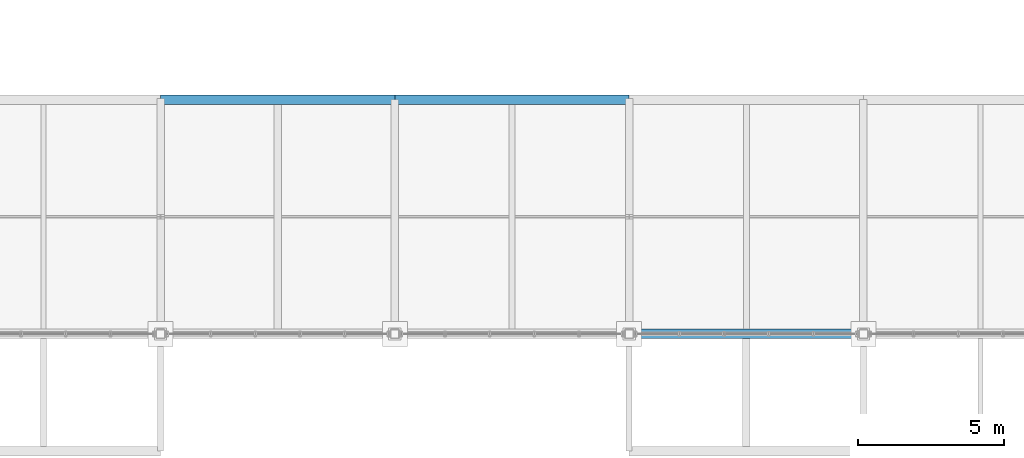
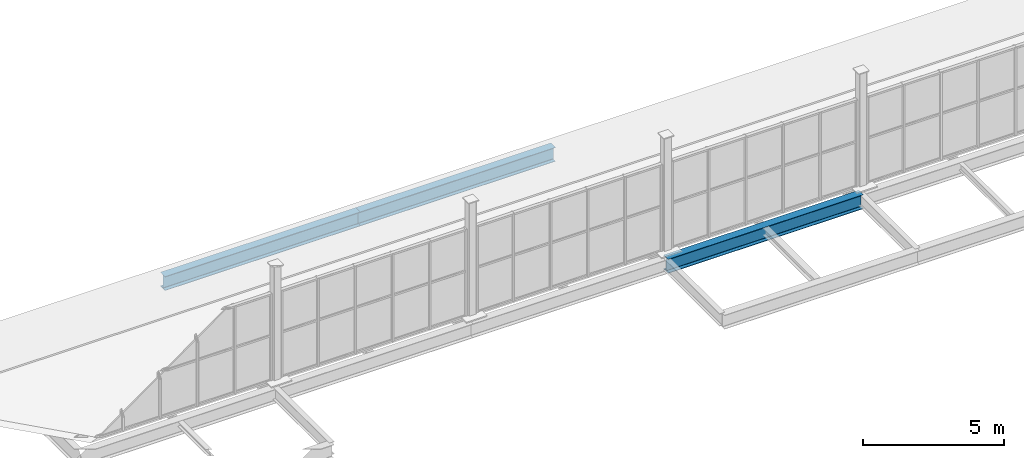
# One storey, part 49 of 96: 3 beams.
"""IFC4 building model written with IfcOpenShell, lengths in metres."""

from ifc_helpers import new_model, si_unit, direction, frame, origin, origin_2d, place, context, subcontext, project, spatial, i_section, extrude, material, material_profile, profile_set, type_object, element, save


model = new_model("IFC4")

# Units and contexts
model_context = context("Model", 3, precision=1e-05, world=origin(), true_north=direction((0.0, 1.0)))
body_context = subcontext(model_context, "Body", "Model", "MODEL_VIEW")
ifc_project = project(units=[si_unit("LENGTHUNIT", "METRE"), si_unit("AREAUNIT", "SQUARE_METRE"), si_unit("VOLUMEUNIT", "CUBIC_METRE"), si_unit("PLANEANGLEUNIT", "RADIAN"), si_unit("MASSUNIT", "GRAM", prefix="KILO")], contexts=[model_context])

# Site, building, storey
site_placement = place(None, origin())
site = spatial("IfcSite", under=ifc_project, at=site_placement, CompositionType="ELEMENT")
building_placement = place(site_placement, origin())
building = spatial("IfcBuilding", under=site, at=building_placement, Name="Verrall Gate Interchange", CompositionType="ELEMENT")
storey_placement = place(building_placement, frame((0.0, 0.0, 11.39990234375)))
storey = spatial("IfcBuildingStorey", under=building, at=storey_placement, Name="L03", CompositionType="ELEMENT", Elevation=11.39990234375)

# Beams
ifc_material = material(Name="Structural Steel CSA G40.21 350WT Cat 4", Category="steel")
ifc_material_profile = material_profile(ifc_material, i_section(OverallWidth=0.323974609375, OverallDepth=0.611083984375, WebThickness=0.0126953125, FlangeThickness=0.01904296875, FilletRadius=0.014892578125, at=origin_2d()), Name="W610x155")
ifc_profile_set = profile_set([ifc_material_profile], Name="Structural Steel CSA G40.21 350WT Cat 4")
beam_type = type_object("IfcBeamType", Name="B-08 Structural Beam W610x155", PredefinedType="BEAM", material=ifc_profile_set)
for number, where, z_axis, x_axis, name in (
    (1, (76.0, 48.0, -0.635498046875), (1.0, 0.0, 0.0), (0.0, 1.0, 0.0), "L03 Girder BM-L03-2115 (B-08)"),
    (2, (60.0, 56.0, -0.635498046875), (1.0, 0.0, 0.0), (0.0, 1.0, 0.0), "L03 Girder BM-L03-2135 (B-08)"),
    (3, (68.0, 56.0, -0.635498046875), (1.0, 0.0, 0.0), (0.0, 1.0, 0.0), "L03 Girder BM-L03-2136 (B-08)"),
):
    element("IfcBeam", number, at=place(storey_placement, frame(where, z_axis=z_axis, x_axis=x_axis)), inside=storey, type_object=beam_type, Name=name, PredefinedType="BEAM", context=body_context, shape_type="SweptSolid", body=[
        extrude(i_section(OverallWidth=0.323974609375, OverallDepth=0.611083984375, WebThickness=0.0126953125, FlangeThickness=0.01904296875, FilletRadius=0.014892578125, at=origin_2d()), origin(), (0.0, 0.0, 1.0), 8.0),
    ])

save(model, "model.ifc")
